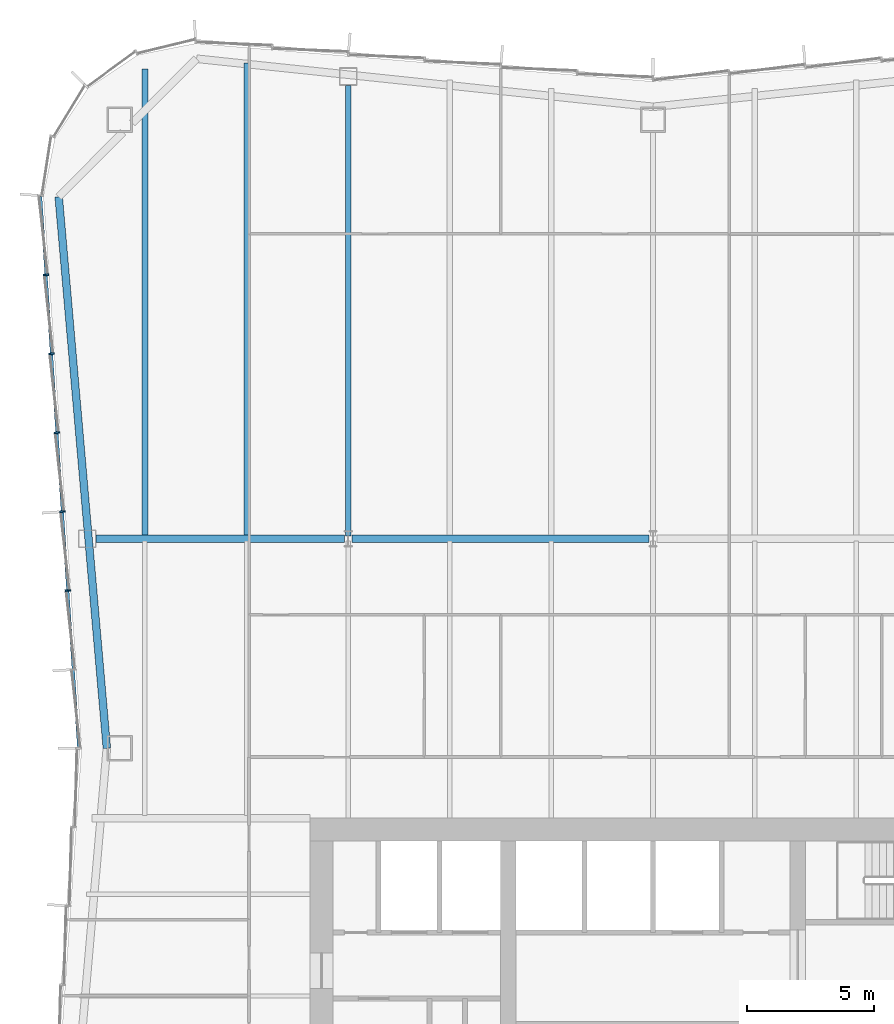
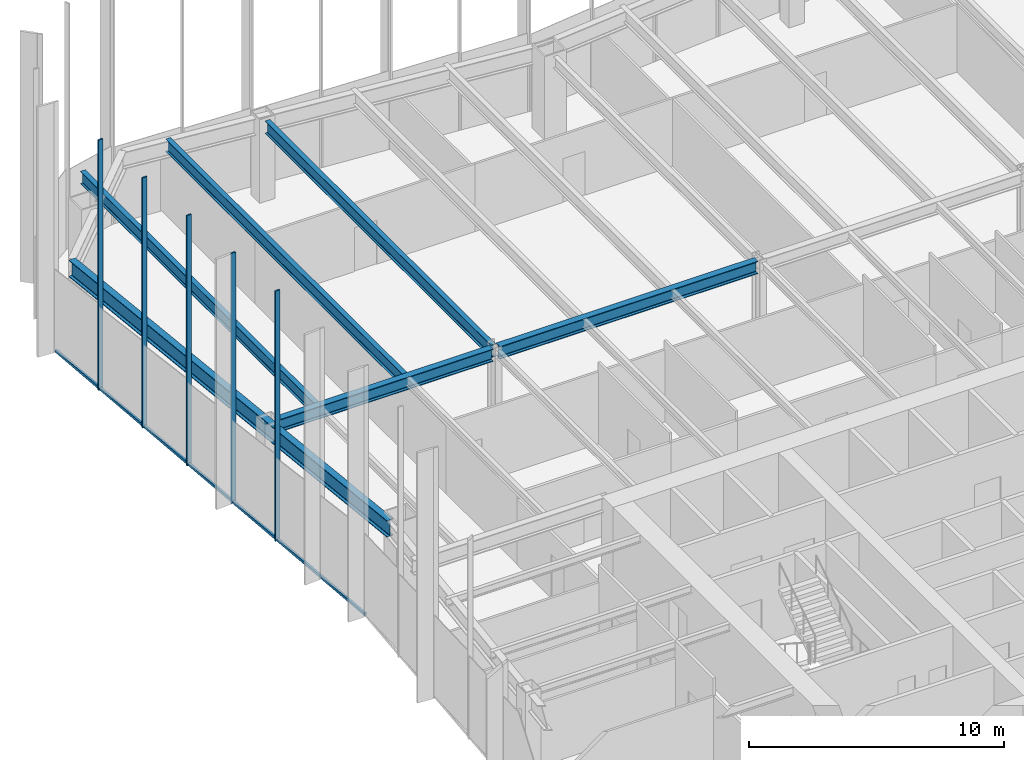
# One storey, part 5 of 13: 6 beams, 6 members, 1 element without a shape of its own.
"""IFC4 building model written with IfcOpenShell, lengths in metres."""

from ifc_helpers import new_model, si_unit, direction, frame, origin, origin_2d, place, context, subcontext, project, spatial, rectangle, i_section, extrude, material, material_profile, profile_set, type_object, element, aggregate, save


model = new_model("IFC4")

# Units and contexts
model_context = context("Model", 3, precision=1e-05, world=origin(), true_north=direction((0.0, 1.0)))
body_context = subcontext(model_context, "Body", "Model", "MODEL_VIEW")
ifc_project = project(units=[si_unit("LENGTHUNIT", "METRE"), si_unit("AREAUNIT", "SQUARE_METRE"), si_unit("VOLUMEUNIT", "CUBIC_METRE"), si_unit("PLANEANGLEUNIT", "RADIAN"), si_unit("MASSUNIT", "GRAM", prefix="KILO")], contexts=[model_context])

# Site, building, storey
site_placement = place(None, origin())
site = spatial("IfcSite", under=ifc_project, at=site_placement, CompositionType="ELEMENT")
building_placement = place(site_placement, origin())
building = spatial("IfcBuilding", under=site, at=building_placement, Name="Verdant Reach Tower", CompositionType="ELEMENT")
storey_placement = place(building_placement, frame((0.0, 0.0, 182.0)))
storey = spatial("IfcBuildingStorey", under=building, at=storey_placement, Name="L41", CompositionType="ELEMENT", Elevation=182.0)

# Curtain wall, members
ifc_material_1 = material(Name="Anodised aluminium", Category="aluminium")
curtain_wall_type = type_object("IfcCurtainWallType", Name="EN-CW SYSTEM Z3", PredefinedType="NOTDEFINED", material=ifc_material_1)
curtain_wall_placement = place(storey_placement, origin())
curtain_wall = element("IfcCurtainWall", 1, at=curtain_wall_placement, inside=storey, type_object=curtain_wall_type, Name="Curtain wall west, L41", PredefinedType="NOTDEFINED")
ifc_material_profile_1 = material_profile(ifc_material_1, rectangle(XDim=0.218017578125, YDim=0.06591796875, at=origin_2d()), Name="Mullion 66x218")
ifc_profile_set_1 = profile_set([ifc_material_profile_1], Name="Anodised aluminium")
member_type_1 = type_object("IfcMemberType", Name="EN-MULLION Z3", PredefinedType="MULLION", material=ifc_profile_set_1)
member_1_placement = place(storey_placement, frame((-23.89453125, 59.88525390625, -0.35009765625), z_axis=(0.0, 0.0, 1.0), x_axis=(-0.997630328423, -0.068802091615, 0.0)))
member_1 = element("IfcMember", 2, at=member_1_placement, type_object=member_type_1, Name="Mullion west face part 1 2, L41", PredefinedType="MULLION", context=body_context, shape_type="SweptSolid", body=[
    extrude(rectangle(XDim=0.218017578125, YDim=0.06591796875, at=origin_2d()), origin(), (0.0, 0.0, 1.0), 12.0),
])
member_2_placement = place(storey_placement, frame((-23.68017578125, 56.7783203125, -0.35009765625), z_axis=(0.0, 0.0, 1.0), x_axis=(-0.997630328423, -0.068802091615, 0.0)))
member_2 = element("IfcMember", 3, at=member_2_placement, type_object=member_type_1, Name="Mullion west face part 1 3, L41", PredefinedType="MULLION", context=body_context, shape_type="SweptSolid", body=[
    extrude(rectangle(XDim=0.218017578125, YDim=0.06591796875, at=origin_2d()), origin(), (0.0, 0.0, 1.0), 12.0),
])
member_3_placement = place(storey_placement, frame((-23.4658203125, 53.671142578125, -0.35009765625), z_axis=(0.0, 0.0, 1.0), x_axis=(-0.997630328423, -0.068802091615, 0.0)))
member_3 = element("IfcMember", 4, at=member_3_placement, type_object=member_type_1, Name="Mullion west face part 1 4, L41", PredefinedType="MULLION", context=body_context, shape_type="SweptSolid", body=[
    extrude(rectangle(XDim=0.218017578125, YDim=0.06591796875, at=origin_2d()), origin(), (0.0, 0.0, 1.0), 12.0),
])
member_4_placement = place(storey_placement, frame((-23.251708984375, 50.56396484375, -0.35009765625), z_axis=(0.0, 0.0, 1.0), x_axis=(-0.997630328423, -0.068802091615, 0.0)))
member_4 = element("IfcMember", 5, at=member_4_placement, type_object=member_type_1, Name="Mullion west face part 1 5, L41", PredefinedType="MULLION", context=body_context, shape_type="SweptSolid", body=[
    extrude(rectangle(XDim=0.218017578125, YDim=0.06591796875, at=origin_2d()), origin(), (0.0, 0.0, 1.0), 12.0),
])
member_5_placement = place(storey_placement, frame((-23.037353515625, 47.456787109375, -0.35009765625), z_axis=(0.0, 0.0, 1.0), x_axis=(-0.997630328423, -0.068802091615, 0.0)))
member_5 = element("IfcMember", 6, at=member_5_placement, type_object=member_type_1, Name="Mullion west face part 1 6, L41", PredefinedType="MULLION", context=body_context, shape_type="SweptSolid", body=[
    extrude(rectangle(XDim=0.218017578125, YDim=0.06591796875, at=origin_2d()), origin(), (0.0, 0.0, 1.0), 12.0),
])
ifc_material_profile_2 = material_profile(ifc_material_1, rectangle(XDim=0.10009765625, YDim=0.1259765625, at=origin_2d()), Name="Transom 126x100")
ifc_profile_set_2 = profile_set([ifc_material_profile_2], Name="Anodised aluminium")
member_type_2 = type_object("IfcMemberType", Name="EN-TRANSOM Z3", PredefinedType="USERDEFINED", material=ifc_profile_set_2)
member_6_placement = place(storey_placement, frame((-24.1064453125, 62.97412109375, -0.287109375), z_axis=(0.068764326054, -0.997632932226, 0.0), x_axis=(0.997632932226, 0.068764326054, 0.0)))
member_6 = element("IfcMember", 7, at=member_6_placement, type_object=member_type_2, Name="Transom west face part 1 1.1, L41", ObjectType="TRANSOM", PredefinedType="USERDEFINED", context=body_context, shape_type="SweptSolid", body=[
    extrude(rectangle(XDim=0.10009765625, YDim=0.1259765625, at=origin_2d()), origin(), (0.0, 0.0, 1.0), 21.74267578125),
])
aggregate(curtain_wall, [member_1, member_2, member_3, member_4, member_5, member_6])

# Beams
ifc_material_2 = material(Name="Steel S355", Category="steel")
ifc_material_profile_3 = material_profile(ifc_material_2, i_section(OverallWidth=0.300048828125, OverallDepth=0.60009765625, WebThickness=0.015380859375, FlangeThickness=0.030029296875, FilletRadius=0.027099609375, at=origin_2d()), Name="HEB 600")
ifc_profile_set_3 = profile_set([ifc_material_profile_3], Name="Steel S355")
beam_type_1 = type_object("IfcBeamType", Name="ST-BEAM-HEB600", PredefinedType="BEAM", material=ifc_profile_set_3)
beam_1_placement = place(storey_placement, frame((-21.9189453125, 49.5, 3.570068359375), z_axis=(1.0, 0.0, 0.0), x_axis=(0.0, 1.0, 0.0)))
element("IfcBeam", 8, at=beam_1_placement, inside=storey, type_object=beam_type_1, Name="Row girder, L41", PredefinedType="BEAM", context=body_context, shape_type="SweptSolid", body=[
    extrude(i_section(OverallWidth=0.300048828125, OverallDepth=0.60009765625, WebThickness=0.015380859375, FlangeThickness=0.030029296875, FilletRadius=0.027099609375, at=origin_2d()), origin(), (0.0, 0.0, 1.0), 9.766357421875),
])
beam_2_placement = place(storey_placement, frame((-11.847412109375, 49.5, 3.570068359375), z_axis=(1.0, 0.0, 0.0), x_axis=(0.0, 1.0, 0.0)))
element("IfcBeam", 9, at=beam_2_placement, inside=storey, type_object=beam_type_1, Name="Row girder, L41", PredefinedType="BEAM", context=body_context, shape_type="SweptSolid", body=[
    extrude(i_section(OverallWidth=0.300048828125, OverallDepth=0.60009765625, WebThickness=0.015380859375, FlangeThickness=0.030029296875, FilletRadius=0.027099609375, at=origin_2d()), origin(), (0.0, 0.0, 1.0), 11.69482421875),
])
ifc_material_profile_4 = material_profile(ifc_material_2, i_section(OverallWidth=0.219970703125, OverallDepth=0.60009765625, WebThickness=0.011962890625, FlangeThickness=0.01904296875, FilletRadius=0.02392578125, at=origin_2d()), Name="IPE 600")
ifc_profile_set_4 = profile_set([ifc_material_profile_4], Name="Steel S355")
beam_type_2 = type_object("IfcBeamType", Name="ST-JOIST-IPE600", PredefinedType="JOIST", material=ifc_profile_set_4)
beam_3_placement = place(storey_placement, frame((-20.0, 49.60009765625, 3.570068359375), z_axis=(0.0, 1.0, 0.0), x_axis=(-1.0, 0.0, 0.0)))
element("IfcBeam", 10, at=beam_3_placement, inside=storey, type_object=beam_type_2, Name="Floor joist, L41", PredefinedType="JOIST", context=body_context, shape_type="SweptSolid", body=[
    extrude(i_section(OverallWidth=0.219970703125, OverallDepth=0.60009765625, WebThickness=0.011962890625, FlangeThickness=0.01904296875, FilletRadius=0.02392578125, at=origin_2d()), origin(), (0.0, 0.0, 1.0), 18.390380859375),
])
beam_4_placement = place(storey_placement, frame((-16.0, 49.60009765625, 3.570068359375), z_axis=(0.0, 1.0, 0.0), x_axis=(-1.0, 0.0, 0.0)))
element("IfcBeam", 11, at=beam_4_placement, inside=storey, type_object=beam_type_2, Name="Floor joist, L41", PredefinedType="JOIST", context=body_context, shape_type="SweptSolid", body=[
    extrude(i_section(OverallWidth=0.219970703125, OverallDepth=0.60009765625, WebThickness=0.011962890625, FlangeThickness=0.01904296875, FilletRadius=0.02392578125, at=origin_2d()), origin(), (0.0, 0.0, 1.0), 18.631103515625),
])
beam_5_placement = place(storey_placement, frame((-12.0, 49.60009765625, 3.570068359375), z_axis=(0.0, 1.0, 0.0), x_axis=(-1.0, 0.0, 0.0)))
element("IfcBeam", 12, at=beam_5_placement, inside=storey, type_object=beam_type_2, Name="Floor joist, L41", PredefinedType="JOIST", context=body_context, shape_type="SweptSolid", body=[
    extrude(i_section(OverallWidth=0.219970703125, OverallDepth=0.60009765625, WebThickness=0.011962890625, FlangeThickness=0.01904296875, FilletRadius=0.02392578125, at=origin_2d()), origin(), (0.0, 0.0, 1.0), 17.75),
])
ifc_material_profile_5 = material_profile(ifc_material_2, i_section(OverallWidth=0.300048828125, OverallDepth=0.800048828125, WebThickness=0.017578125, FlangeThickness=0.032958984375, FilletRadius=0.030029296875, at=origin_2d()), Name="HEB 800")
ifc_profile_set_5 = profile_set([ifc_material_profile_5], Name="Steel S355")
beam_type_3 = type_object("IfcBeamType", Name="ST-SPANDREL-HEB800", PredefinedType="SPANDREL", material=ifc_profile_set_5)
beam_6_placement = place(storey_placement, frame((-21.5, 41.25, 3.469970703125), z_axis=(-0.086996024331, 0.996208658741, 0.0), x_axis=(-0.996208658741, -0.086996024331, 0.0)))
element("IfcBeam", 13, at=beam_6_placement, inside=storey, type_object=beam_type_3, Name="Edge beam, L41", PredefinedType="SPANDREL", context=body_context, shape_type="SweptSolid", body=[
    extrude(i_section(OverallWidth=0.300048828125, OverallDepth=0.800048828125, WebThickness=0.017578125, FlangeThickness=0.032958984375, FilletRadius=0.030029296875, at=origin_2d()), origin(), (0.0, 0.0, 1.0), 21.7939453125),
])

save(model, "model.ifc")
